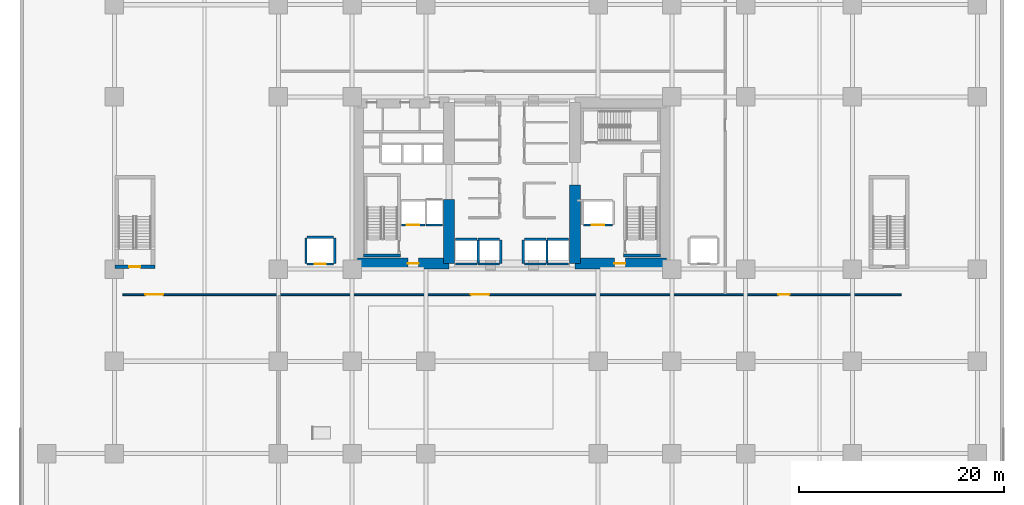
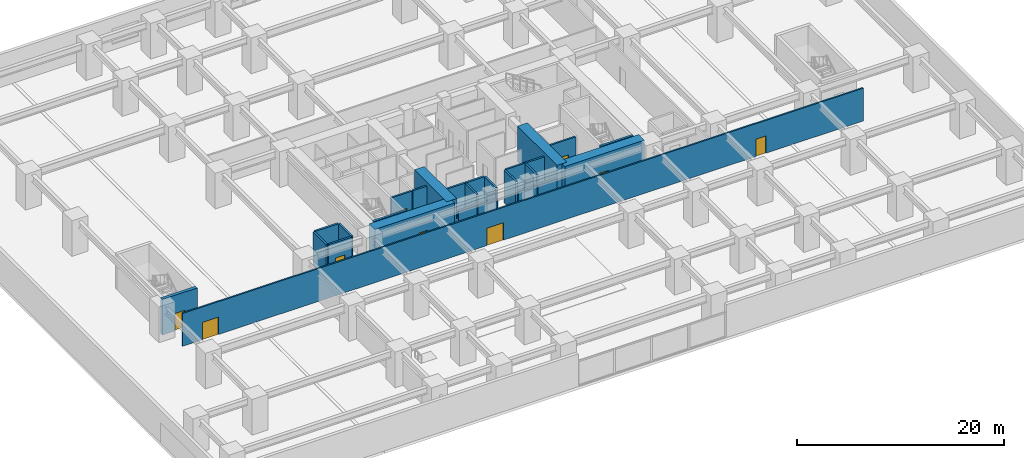
# One storey, part 10 of 22: 27 walls, 9 doors, 9 openings.
"""IFC4 building model written with IfcOpenShell, lengths in metres."""

from ifc_helpers import new_model, si_unit, direction, frame, frame_2d, origin, place, context, subcontext, project, spatial, rectangle, extrude, material, layer, layer_set, type_object, element, fill, save


model = new_model("IFC4")

# Units and contexts
model_context = context("Model", 3, precision=1e-05, world=origin(), true_north=direction((0.0, 1.0)))
body_context = subcontext(model_context, "Body", "Model", "MODEL_VIEW")
ifc_project = project(units=[si_unit("LENGTHUNIT", "METRE"), si_unit("AREAUNIT", "SQUARE_METRE"), si_unit("VOLUMEUNIT", "CUBIC_METRE"), si_unit("PLANEANGLEUNIT", "RADIAN"), si_unit("MASSUNIT", "GRAM", prefix="KILO")], contexts=[model_context])

# Site, building, storey
site_placement = place(None, origin())
site = spatial("IfcSite", under=ifc_project, at=site_placement, CompositionType="ELEMENT")
building_placement = place(site_placement, origin())
building = spatial("IfcBuilding", under=site, at=building_placement, Name="Kiyonajd Concourse Tower", CompositionType="ELEMENT")
storey_placement = place(building_placement, frame((0.0, 0.0, 4.5)))
storey = spatial("IfcBuildingStorey", under=building, at=storey_placement, Name="L02", CompositionType="ELEMENT", Elevation=4.5)

# Wall
ifc_material_1 = material(Name="Concrete C80/95", Category="concrete")
ifc_layer_1 = layer(ifc_material_1, 1.10009765625)
ifc_layer_set_1 = layer_set([ifc_layer_1], Name="Concrete C80/95")
wall_type_1 = type_object("IfcWallType", Name="WL-CORE-1100", PredefinedType="SHEAR", material=ifc_layer_set_1)
wall_1_placement = place(storey_placement, frame((41.85009765625, 28.14990234375, 0.0), z_axis=(0.0, 0.0, 1.0), x_axis=(0.0, 1.0, 0.0)))
element("IfcWall", 1, at=wall_1_placement, inside=storey, type_object=wall_type_1, Name="L02 West Core Inner South Shear Wall", PredefinedType="SHEAR", context=body_context, shape_type="SweptSolid", body=[
    extrude(rectangle(XDim=6.25, YDim=1.10009765625, at=frame_2d((3.125, 0.0))), origin(), (0.0, 0.0, 1.0), 4.199951171875),
])

# Wall, opening, door
wall_2_placement = place(storey_placement, frame((32.949951171875, 28.14990234375, 0.0), z_axis=(0.0, 0.0, 1.0), x_axis=(1.0, 0.0, 0.0)))
wall_2 = element("IfcWall", 2, at=wall_2_placement, inside=storey, type_object=wall_type_1, Name="L02 West Core South Shear Wall", PredefinedType="SHEAR", context=body_context, shape_type="SweptSolid", body=[
    extrude(rectangle(XDim=8.900146484375, YDim=1.10009765625, at=frame_2d((4.4501953125, 0.0))), origin(), (0.0, 0.0, 1.0), 4.199951171875),
])
opening_1_placement = place(wall_2_placement, frame((4.89990234375, 0.0, 0.0)))
opening_1 = element("IfcOpeningElement", 3, at=opening_1_placement, cuts=wall_2, Name="Opening DF5", PredefinedType="OPENING", context=body_context, shape_type="SweptSolid", body=[
    extrude(rectangle(XDim=1.050048828125, YDim=2.0400390625, at=frame_2d((0.52490234375, 1.02001953125))), frame((0.0, 0.56005859375, 0.0), z_axis=(0.0, -1.0, 0.0), x_axis=(1.0, 0.0, 0.0)), (0.0, 0.0, 1.0), 1.1201171875),
])
ifc_material_2 = material(Name="Brushed Stainless Steel Cab Assembly", Category="steel")
door_type_1 = type_object("IfcDoorType", Name="DR-FD45-1050", OperationType="NOTDEFINED", PredefinedType="DOOR", material=ifc_material_2)
door_1_placement = place(opening_1_placement, origin())
door_1 = element("IfcDoor", 4, at=door_1_placement, inside=storey, type_object=door_type_1, Name="L02 Firefighting Lift Lobby W Smoke Door", OperationType="SINGLE_SWING_LEFT", OverallHeight=2.0400390625, OverallWidth=1.050048828125, PredefinedType="DOOR", context=body_context, shape_type="SweptSolid", body=[
    extrude(rectangle(XDim=1.050048828125, YDim=2.0400390625, at=frame_2d((0.52490234375, 1.02001953125))), frame((0.0, 0.02490234375, 0.0), z_axis=(0.0, -1.0, 0.0), x_axis=(1.0, 0.0, 0.0)), (0.0, 0.0, 1.0), 0.050048828125),
])
fill(opening_1, door_1)

# Wall
wall_3_placement = place(storey_placement, frame((54.14990234375, 28.14990234375, 0.0), z_axis=(0.0, 0.0, 1.0), x_axis=(0.0, 1.0, 0.0)))
element("IfcWall", 5, at=wall_3_placement, inside=storey, type_object=wall_type_1, Name="L02 East Core Inner South Shear Wall", PredefinedType="SHEAR", context=body_context, shape_type="SweptSolid", body=[
    extrude(rectangle(XDim=7.650146484375, YDim=1.10009765625, at=frame_2d((3.8251953125, 0.0))), origin(), (0.0, 0.0, 1.0), 4.199951171875),
])

# Wall, opening, door
wall_4_placement = place(storey_placement, frame((54.14990234375, 28.14990234375, 0.0), z_axis=(0.0, 0.0, 1.0), x_axis=(1.0, 0.0, 0.0)))
wall_4 = element("IfcWall", 6, at=wall_4_placement, inside=storey, type_object=wall_type_1, Name="L02 East Core South Shear Wall", PredefinedType="SHEAR", context=body_context, shape_type="SweptSolid", body=[
    extrude(rectangle(XDim=8.900146484375, YDim=1.10009765625, at=frame_2d((4.4501953125, 0.0))), origin(), (0.0, 0.0, 1.0), 4.199951171875),
])
opening_2_placement = place(wall_4_placement, frame((3.85009765625, 0.0, 0.0)))
opening_2 = element("IfcOpeningElement", 7, at=opening_2_placement, cuts=wall_4, Name="Opening DF5", PredefinedType="OPENING", context=body_context, shape_type="SweptSolid", body=[
    extrude(rectangle(XDim=1.050048828125, YDim=2.0400390625, at=frame_2d((0.52490234375, 1.02001953125))), frame((0.0, 0.56005859375, 0.0), z_axis=(0.0, -1.0, 0.0), x_axis=(1.0, 0.0, 0.0)), (0.0, 0.0, 1.0), 1.1201171875),
])
door_2_placement = place(opening_2_placement, origin())
door_2 = element("IfcDoor", 8, at=door_2_placement, inside=storey, type_object=door_type_1, Name="L02 Firefighting Lift Lobby E Smoke Door", OperationType="SINGLE_SWING_RIGHT", OverallHeight=2.0400390625, OverallWidth=1.050048828125, PredefinedType="DOOR", context=body_context, shape_type="SweptSolid", body=[
    extrude(rectangle(XDim=1.050048828125, YDim=2.0400390625, at=frame_2d((0.52490234375, 1.02001953125))), frame((0.0, 0.02490234375, 0.0), z_axis=(0.0, -1.0, 0.0), x_axis=(1.0, 0.0, 0.0)), (0.0, 0.0, 1.0), 0.050048828125),
])
fill(opening_2, door_2)

ifc_material_3 = material(Name="Gypsum Board on Cold-Formed Steel Stud", Category="steel")
ifc_layer_2 = layer(ifc_material_3, 0.2099609375)
ifc_layer_set_2 = layer_set([ifc_layer_2], Name="Gypsum Board on Cold-Formed Steel Stud")
wall_type_2 = type_object("IfcWallType", Name="WL-SHAFT-210", PredefinedType="PARTITIONING", material=ifc_layer_set_2)
wall_5_placement = place(storey_placement, frame((37.199951171875, 31.89990234375, 0.0), z_axis=(0.0, 0.0, 1.0), x_axis=(1.0, 0.0, 0.0)))
wall_5 = element("IfcWall", 9, at=wall_5_placement, inside=storey, type_object=wall_type_2, Name="L02 Shaft Enclosure Wall", PredefinedType="PARTITIONING", context=body_context, shape_type="SweptSolid", body=[
    extrude(rectangle(XDim=2.300048828125, YDim=0.2099609375, at=frame_2d((1.14990234375, 0.0))), origin(), (0.0, 0.0, 1.0), 3.8798828125),
])
opening_3_placement = place(wall_5_placement, frame((0.550048828125, 0.0, 0.0)))
opening_3 = element("IfcOpeningElement", 10, at=opening_3_placement, cuts=wall_5, Name="Opening LD2", PredefinedType="OPENING", context=body_context, shape_type="SweptSolid", body=[
    extrude(rectangle(XDim=1.199951171875, YDim=2.0400390625, at=frame_2d((0.60009765625, 1.02001953125))), frame((0.0, 0.114990234375, 0.0), z_axis=(0.0, -1.0, 0.0), x_axis=(1.0, 0.0, 0.0)), (0.0, 0.0, 1.0), 0.22998046875),
])
door_type_2 = type_object("IfcDoorType", Name="DR-LD-1200", OperationType="DOUBLE_DOOR_SLIDING", PredefinedType="DOOR", material=ifc_material_2)
door_3_placement = place(opening_3_placement, origin())
door_3 = element("IfcDoor", 11, at=door_3_placement, inside=storey, type_object=door_type_2, Name="L02 Lift FFL1 Sliding Landing Door", OperationType="DOUBLE_DOOR_SLIDING", OverallHeight=2.0400390625, OverallWidth=1.199951171875, PredefinedType="DOOR", context=body_context, shape_type="SweptSolid", body=[
    extrude(rectangle(XDim=1.199951171875, YDim=2.0400390625, at=frame_2d((0.60009765625, 1.02001953125))), frame((0.0, 0.02490234375, 0.0), z_axis=(0.0, -1.0, 0.0), x_axis=(1.0, 0.0, 0.0)), (0.0, 0.0, 1.0), 0.050048828125),
])
fill(opening_3, door_3)

wall_6_placement = place(storey_placement, frame((55.0, 31.89990234375, 0.0), z_axis=(0.0, 0.0, 1.0), x_axis=(1.0, 0.0, 0.0)))
wall_6 = element("IfcWall", 12, at=wall_6_placement, inside=storey, type_object=wall_type_2, Name="L02 Shaft Enclosure Wall", PredefinedType="PARTITIONING", context=body_context, shape_type="SweptSolid", body=[
    extrude(rectangle(XDim=2.800048828125, YDim=0.2099609375, at=frame_2d((1.39990234375, 0.0))), origin(), (0.0, 0.0, 1.0), 3.8798828125),
])
opening_4_placement = place(wall_6_placement, frame((0.800048828125, 0.0, 0.0)))
opening_4 = element("IfcOpeningElement", 13, at=opening_4_placement, cuts=wall_6, Name="Opening LD2", PredefinedType="OPENING", context=body_context, shape_type="SweptSolid", body=[
    extrude(rectangle(XDim=1.199951171875, YDim=2.0400390625, at=frame_2d((0.60009765625, 1.02001953125))), frame((0.0, 0.114990234375, 0.0), z_axis=(0.0, -1.0, 0.0), x_axis=(1.0, 0.0, 0.0)), (0.0, 0.0, 1.0), 0.22998046875),
])
door_4_placement = place(opening_4_placement, origin())
door_4 = element("IfcDoor", 14, at=door_4_placement, inside=storey, type_object=door_type_2, Name="L02 Lift FFL2 Sliding Landing Door", OperationType="DOUBLE_DOOR_SLIDING", OverallHeight=2.0400390625, OverallWidth=1.199951171875, PredefinedType="DOOR", context=body_context, shape_type="SweptSolid", body=[
    extrude(rectangle(XDim=1.199951171875, YDim=2.0400390625, at=frame_2d((0.60009765625, 1.02001953125))), frame((0.0, 0.02490234375, 0.0), z_axis=(0.0, -1.0, 0.0), x_axis=(1.0, 0.0, 0.0)), (0.0, 0.0, 1.0), 0.050048828125),
])
fill(opening_4, door_4)

# Walls
wall_7_placement = place(storey_placement, frame((39.60009765625, 31.89990234375, 0.0), z_axis=(0.0, 0.0, 1.0), x_axis=(1.0, 0.0, 0.0)))
element("IfcWall", 15, at=wall_7_placement, inside=storey, type_object=wall_type_2, Name="L02 Shaft Enclosure Wall", PredefinedType="PARTITIONING", context=body_context, shape_type="SweptSolid", body=[
    extrude(rectangle(XDim=1.599853515625, YDim=0.2099609375, at=frame_2d((0.7998046875, 0.0))), origin(), (0.0, 0.0, 1.0), 3.8798828125),
])
wall_8_placement = place(storey_placement, frame((42.5, 30.5, 0.0), z_axis=(0.0, 0.0, 1.0), x_axis=(1.0, 0.0, 0.0)))
element("IfcWall", 16, at=wall_8_placement, inside=storey, type_object=wall_type_2, Name="L02 Shaft Enclosure Wall", PredefinedType="PARTITIONING", context=body_context, shape_type="SweptSolid", body=[
    extrude(rectangle(XDim=2.10009765625, YDim=0.2099609375, at=frame_2d((1.050048828125, 0.0))), origin(), (0.0, 0.0, 1.0), 3.8798828125),
])
wall_9_placement = place(storey_placement, frame((42.5, 28.10009765625, 0.0), z_axis=(0.0, 0.0, 1.0), x_axis=(1.0, 0.0, 0.0)))
element("IfcWall", 17, at=wall_9_placement, inside=storey, type_object=wall_type_2, Name="L02 Shaft Enclosure Wall", PredefinedType="PARTITIONING", context=body_context, shape_type="SweptSolid", body=[
    extrude(rectangle(XDim=2.10009765625, YDim=0.2099609375, at=frame_2d((1.050048828125, 0.0))), origin(), (0.0, 0.0, 1.0), 2.764892578125),
])
wall_10_placement = place(storey_placement, frame((44.699951171875, 28.159912109375, 0.0), z_axis=(0.0, 0.0, 1.0), x_axis=(0.0, 1.0, 0.0)))
element("IfcWall", 18, at=wall_10_placement, inside=storey, type_object=wall_type_2, Name="L02 Shaft Enclosure Wall", PredefinedType="PARTITIONING", context=body_context, shape_type="SweptSolid", body=[
    extrude(rectangle(XDim=2.280029296875, YDim=0.2099609375, at=frame_2d((1.14013671875, 0.0))), origin(), (0.0, 0.0, 1.0), 3.8798828125),
])
wall_11_placement = place(storey_placement, frame((44.699951171875, 30.5, 0.0), z_axis=(0.0, 0.0, 1.0), x_axis=(1.0, 0.0, 0.0)))
element("IfcWall", 19, at=wall_11_placement, inside=storey, type_object=wall_type_2, Name="L02 Shaft Enclosure Wall", PredefinedType="PARTITIONING", context=body_context, shape_type="SweptSolid", body=[
    extrude(rectangle(XDim=2.10009765625, YDim=0.2099609375, at=frame_2d((1.050048828125, 0.0))), origin(), (0.0, 0.0, 1.0), 3.8798828125),
])
wall_12_placement = place(storey_placement, frame((44.699951171875, 28.10009765625, 0.0), z_axis=(0.0, 0.0, 1.0), x_axis=(1.0, 0.0, 0.0)))
element("IfcWall", 20, at=wall_12_placement, inside=storey, type_object=wall_type_2, Name="L02 Shaft Enclosure Wall", PredefinedType="PARTITIONING", context=body_context, shape_type="SweptSolid", body=[
    extrude(rectangle(XDim=2.10009765625, YDim=0.2099609375, at=frame_2d((1.050048828125, 0.0))), origin(), (0.0, 0.0, 1.0), 2.764892578125),
])
wall_13_placement = place(storey_placement, frame((46.89990234375, 28.159912109375, 0.0), z_axis=(0.0, 0.0, 1.0), x_axis=(0.0, 1.0, 0.0)))
element("IfcWall", 21, at=wall_13_placement, inside=storey, type_object=wall_type_2, Name="L02 Shaft Enclosure Wall", PredefinedType="PARTITIONING", context=body_context, shape_type="SweptSolid", body=[
    extrude(rectangle(XDim=2.280029296875, YDim=0.2099609375, at=frame_2d((1.14013671875, 0.0))), origin(), (0.0, 0.0, 1.0), 3.8798828125),
])
wall_14_placement = place(storey_placement, frame((49.199951171875, 30.5, 0.0), z_axis=(0.0, 0.0, 1.0), x_axis=(1.0, 0.0, 0.0)))
element("IfcWall", 22, at=wall_14_placement, inside=storey, type_object=wall_type_2, Name="L02 Shaft Enclosure Wall", PredefinedType="PARTITIONING", context=body_context, shape_type="SweptSolid", body=[
    extrude(rectangle(XDim=2.10009765625, YDim=0.2099609375, at=frame_2d((1.050048828125, 0.0))), origin(), (0.0, 0.0, 1.0), 3.8798828125),
])
wall_15_placement = place(storey_placement, frame((49.199951171875, 28.10009765625, 0.0), z_axis=(0.0, 0.0, 1.0), x_axis=(1.0, 0.0, 0.0)))
element("IfcWall", 23, at=wall_15_placement, inside=storey, type_object=wall_type_2, Name="L02 Shaft Enclosure Wall", PredefinedType="PARTITIONING", context=body_context, shape_type="SweptSolid", body=[
    extrude(rectangle(XDim=2.10009765625, YDim=0.2099609375, at=frame_2d((1.050048828125, 0.0))), origin(), (0.0, 0.0, 1.0), 2.764892578125),
])
for number, where, z_axis, x_axis, name in (
    (24, (49.10009765625, 28.159912109375, 0.0), (0.0, 0.0, 1.0), (0.0, 1.0, 0.0), "L02 Shaft Enclosure Wall"),
    (25, (51.39990234375, 28.159912109375, 0.0), (0.0, 0.0, 1.0), (0.0, 1.0, 0.0), "L02 Shaft Enclosure Wall"),
):
    element("IfcWall", number, at=place(storey_placement, frame(where, z_axis=z_axis, x_axis=x_axis)), inside=storey, type_object=wall_type_2, Name=name, PredefinedType="PARTITIONING", context=body_context, shape_type="SweptSolid", body=[
        extrude(rectangle(XDim=2.280029296875, YDim=0.2099609375, at=frame_2d((1.14013671875, 0.0))), origin(), (0.0, 0.0, 1.0), 3.8798828125),
    ])
wall_16_placement = place(storey_placement, frame((51.39990234375, 30.5, 0.0), z_axis=(0.0, 0.0, 1.0), x_axis=(1.0, 0.0, 0.0)))
element("IfcWall", 26, at=wall_16_placement, inside=storey, type_object=wall_type_2, Name="L02 Shaft Enclosure Wall", PredefinedType="PARTITIONING", context=body_context, shape_type="SweptSolid", body=[
    extrude(rectangle(XDim=2.10009765625, YDim=0.2099609375, at=frame_2d((1.050048828125, 0.0))), origin(), (0.0, 0.0, 1.0), 3.8798828125),
])
wall_17_placement = place(storey_placement, frame((51.39990234375, 28.10009765625, 0.0), z_axis=(0.0, 0.0, 1.0), x_axis=(1.0, 0.0, 0.0)))
element("IfcWall", 27, at=wall_17_placement, inside=storey, type_object=wall_type_2, Name="L02 Shaft Enclosure Wall", PredefinedType="PARTITIONING", context=body_context, shape_type="SweptSolid", body=[
    extrude(rectangle(XDim=2.10009765625, YDim=0.2099609375, at=frame_2d((1.050048828125, 0.0))), origin(), (0.0, 0.0, 1.0), 2.764892578125),
])

# Wall, opening, door
wall_18_placement = place(storey_placement, frame((28.0, 28.10009765625, 0.0), z_axis=(0.0, 0.0, 1.0), x_axis=(1.0, 0.0, 0.0)))
wall_18 = element("IfcWall", 28, at=wall_18_placement, inside=storey, type_object=wall_type_2, Name="L02 Shaft Enclosure Wall", PredefinedType="PARTITIONING", context=body_context, shape_type="SweptSolid", body=[
    extrude(rectangle(XDim=2.60009765625, YDim=0.2099609375, at=frame_2d((1.300048828125, 0.0))), origin(), (0.0, 0.0, 1.0), 3.8798828125),
])
opening_5_placement = place(wall_18_placement, frame((0.75, 0.0, 0.0)))
opening_5 = element("IfcOpeningElement", 29, at=opening_5_placement, cuts=wall_18, Name="Opening LD1", PredefinedType="OPENING", context=body_context, shape_type="SweptSolid", body=[
    extrude(rectangle(XDim=1.10009765625, YDim=2.0400390625, at=frame_2d((0.550048828125, 1.02001953125))), frame((0.0, 0.114990234375, 0.0), z_axis=(0.0, -1.0, 0.0), x_axis=(1.0, 0.0, 0.0)), (0.0, 0.0, 1.0), 0.22998046875),
])
door_type_3 = type_object("IfcDoorType", Name="DR-LD-1100", OperationType="DOUBLE_DOOR_SLIDING", PredefinedType="DOOR", material=ifc_material_2)
door_5_placement = place(opening_5_placement, origin())
door_5 = element("IfcDoor", 30, at=door_5_placement, inside=storey, type_object=door_type_3, Name="L02 Lift PD1 Sliding Landing Door", OperationType="DOUBLE_DOOR_SLIDING", OverallHeight=2.0400390625, OverallWidth=1.10009765625, PredefinedType="DOOR", context=body_context, shape_type="SweptSolid", body=[
    extrude(rectangle(XDim=1.10009765625, YDim=2.0400390625, at=frame_2d((0.550048828125, 1.02001953125))), frame((0.0, 0.02490234375, 0.0), z_axis=(0.0, -1.0, 0.0), x_axis=(1.0, 0.0, 0.0)), (0.0, 0.0, 1.0), 0.050048828125),
])
fill(opening_5, door_5)

# Walls
wall_19_placement = place(storey_placement, frame((28.0, 30.699951171875, 0.0), z_axis=(0.0, 0.0, 1.0), x_axis=(1.0, 0.0, 0.0)))
element("IfcWall", 31, at=wall_19_placement, inside=storey, type_object=wall_type_2, Name="L02 Shaft Enclosure Wall", PredefinedType="PARTITIONING", context=body_context, shape_type="SweptSolid", body=[
    extrude(rectangle(XDim=2.60009765625, YDim=0.2099609375, at=frame_2d((1.300048828125, 0.0))), origin(), (0.0, 0.0, 1.0), 3.8798828125),
])
for number, where, z_axis, x_axis, name in (
    (32, (27.89990234375, 28.159912109375, 0.0), (0.0, 0.0, 1.0), (0.0, 1.0, 0.0), "L02 Shaft Enclosure Wall"),
    (33, (30.699951171875, 28.159912109375, 0.0), (0.0, 0.0, 1.0), (0.0, 1.0, 0.0), "L02 Shaft Enclosure Wall"),
):
    element("IfcWall", number, at=place(storey_placement, frame(where, z_axis=z_axis, x_axis=x_axis)), inside=storey, type_object=wall_type_2, Name=name, PredefinedType="PARTITIONING", context=body_context, shape_type="SweptSolid", body=[
        extrude(rectangle(XDim=2.47998046875, YDim=0.2099609375, at=frame_2d((1.239990234375, 0.0))), origin(), (0.0, 0.0, 1.0), 3.8798828125),
    ])

# Wall, openings, doors
ifc_layer_3 = layer(ifc_material_3, 0.169921875)
ifc_layer_set_3 = layer_set([ifc_layer_3], Name="Gypsum Board on Cold-Formed Steel Stud")
wall_type_3 = type_object("IfcWallType", Name="WL-SMK-170", PredefinedType="PARTITIONING", material=ifc_layer_set_3)
wall_20_placement = place(storey_placement, frame((10.0, 25.10009765625, 0.0), z_axis=(0.0, 0.0, 1.0), x_axis=(1.0, 0.0, 0.0)))
wall_20 = element("IfcWall", 34, at=wall_20_placement, inside=storey, type_object=wall_type_3, Name="L02 Interior Partition Wall", PredefinedType="PARTITIONING", context=body_context, shape_type="SweptSolid", body=[
    extrude(rectangle(XDim=76.0, YDim=0.169921875, at=frame_2d((38.0, 0.0))), origin(), (0.0, 0.0, 1.0), 3.8798828125),
])
opening_6_placement = place(wall_20_placement, frame((2.199951171875, 0.0, 0.0)))
opening_6 = element("IfcOpeningElement", 35, at=opening_6_placement, cuts=wall_20, Name="Opening DI3", PredefinedType="OPENING", context=body_context, shape_type="SweptSolid", body=[
    extrude(rectangle(XDim=1.800048828125, YDim=2.06005859375, at=frame_2d((0.89990234375, 1.030029296875))), frame((0.0, 0.094970703125, 0.0), z_axis=(0.0, -1.0, 0.0), x_axis=(1.0, 0.0, 0.0)), (0.0, 0.0, 1.0), 0.18994140625),
])
opening_7_placement = place(wall_20_placement, frame((34.0, 0.0, 0.0)))
opening_7 = element("IfcOpeningElement", 36, at=opening_7_placement, cuts=wall_20, Name="Opening DI3", PredefinedType="OPENING", context=body_context, shape_type="SweptSolid", body=[
    extrude(rectangle(XDim=1.800048828125, YDim=2.06005859375, at=frame_2d((0.89990234375, 1.030029296875))), frame((0.0, 0.094970703125, 0.0), z_axis=(0.0, -1.0, 0.0), x_axis=(1.0, 0.0, 0.0)), (0.0, 0.0, 1.0), 0.18994140625),
])
opening_8_placement = place(wall_20_placement, frame((64.0, 0.0, 0.0)))
opening_8 = element("IfcOpeningElement", 37, at=opening_8_placement, cuts=wall_20, Name="Opening DF2", PredefinedType="OPENING", context=body_context, shape_type="SweptSolid", body=[
    extrude(rectangle(XDim=1.10009765625, YDim=2.050048828125, at=frame_2d((0.550048828125, 1.02490234375))), frame((0.0, 0.094970703125, 0.0), z_axis=(0.0, -1.0, 0.0), x_axis=(1.0, 0.0, 0.0)), (0.0, 0.0, 1.0), 0.18994140625),
])
door_type_4 = type_object("IfcDoorType", Name="DR-FD90-1100", OperationType="NOTDEFINED", PredefinedType="DOOR", material=ifc_material_2)
door_6_placement = place(opening_8_placement, origin())
door_6 = element("IfcDoor", 38, at=door_6_placement, inside=storey, type_object=door_type_4, Name="L02 Interior Door", OperationType="SINGLE_SWING_LEFT", OverallHeight=2.050048828125, OverallWidth=1.10009765625, PredefinedType="DOOR", context=body_context, shape_type="SweptSolid", body=[
    extrude(rectangle(XDim=1.10009765625, YDim=2.050048828125, at=frame_2d((0.550048828125, 1.02490234375))), frame((0.0, 0.02490234375, 0.0), z_axis=(0.0, -1.0, 0.0), x_axis=(1.0, 0.0, 0.0)), (0.0, 0.0, 1.0), 0.050048828125),
])
fill(opening_8, door_6)
door_type_5 = type_object("IfcDoorType", Name="DR-PAIR-1800", OperationType="DOUBLE_DOOR_SINGLE_SWING", PredefinedType="DOOR", material=ifc_material_2)
door_7_placement = place(opening_6_placement, origin())
door_7 = element("IfcDoor", 39, at=door_7_placement, inside=storey, type_object=door_type_5, Name="L02 Interior Door", OperationType="DOUBLE_DOOR_SINGLE_SWING", OverallHeight=2.06005859375, OverallWidth=1.800048828125, PredefinedType="DOOR", context=body_context, shape_type="SweptSolid", body=[
    extrude(rectangle(XDim=1.800048828125, YDim=2.06005859375, at=frame_2d((0.89990234375, 1.030029296875))), frame((0.0, 0.02490234375, 0.0), z_axis=(0.0, -1.0, 0.0), x_axis=(1.0, 0.0, 0.0)), (0.0, 0.0, 1.0), 0.050048828125),
])
fill(opening_6, door_7)
door_8_placement = place(opening_7_placement, origin())
door_8 = element("IfcDoor", 40, at=door_8_placement, inside=storey, type_object=door_type_5, Name="L02 Interior Door", OperationType="DOUBLE_DOOR_SINGLE_SWING", OverallHeight=2.06005859375, OverallWidth=1.800048828125, PredefinedType="DOOR", context=body_context, shape_type="SweptSolid", body=[
    extrude(rectangle(XDim=1.800048828125, YDim=2.06005859375, at=frame_2d((0.89990234375, 1.030029296875))), frame((0.0, 0.02490234375, 0.0), z_axis=(0.0, -1.0, 0.0), x_axis=(1.0, 0.0, 0.0)), (0.0, 0.0, 1.0), 0.050048828125),
])
fill(opening_7, door_8)

# Walls
ifc_material_4 = material(Name="Concrete C50/60", Category="concrete")
ifc_layer_4 = layer(ifc_material_4, 0.260009765625)
ifc_layer_set_4 = layer_set([ifc_layer_4], Name="Concrete C50/60")
wall_type_4 = type_object("IfcWallType", Name="WL-STAIR-260", PredefinedType="SHEAR", material=ifc_layer_set_4)
for number, where, z_axis, x_axis, name in (
    (41, (33.5, 28.919921875, 0.0), (0.0, 0.0, 1.0), (1.0, 0.0, 0.0), "L02 Stair ST1 Structural South Wall"),
    (42, (58.889892578125, 28.919921875, 0.0), (0.0, 0.0, 1.0), (1.0, 0.0, 0.0), "L02 Stair ST2 Structural South Wall"),
):
    element("IfcWall", number, at=place(storey_placement, frame(where, z_axis=z_axis, x_axis=x_axis)), inside=storey, type_object=wall_type_4, Name=name, PredefinedType="SHEAR", context=body_context, shape_type="SweptSolid", body=[
        extrude(rectangle(XDim=3.610107421875, YDim=0.260009765625, at=frame_2d((1.80517578125, 0.0))), origin(), (0.0, 0.0, 1.0), 4.199951171875),
    ])

# Wall, opening, door
ifc_layer_5 = layer(ifc_material_4, 0.35009765625)
ifc_layer_set_5 = layer_set([ifc_layer_5], Name="Concrete C50/60")
wall_type_5 = type_object("IfcWallType", Name="WL-STAIR-350", PredefinedType="SHEAR", material=ifc_layer_set_5)
wall_21_placement = place(storey_placement, frame((9.25, 27.824951171875, 0.0), z_axis=(0.0, 0.0, 1.0), x_axis=(1.0, 0.0, 0.0)))
wall_21 = element("IfcWall", 43, at=wall_21_placement, inside=storey, type_object=wall_type_5, Name="L02 Stair ST4 Structural South Wall", PredefinedType="SHEAR", context=body_context, shape_type="SweptSolid", body=[
    extrude(rectangle(XDim=3.89990234375, YDim=0.35009765625, at=frame_2d((1.949951171875, 0.0))), origin(), (0.0, 0.0, 1.0), 4.199951171875),
])
opening_9_placement = place(wall_21_placement, frame((1.39990234375, 0.0, 0.0)))
opening_9 = element("IfcOpeningElement", 44, at=opening_9_placement, cuts=wall_21, Name="Opening DF2", PredefinedType="OPENING", context=body_context, shape_type="SweptSolid", body=[
    extrude(rectangle(XDim=1.10009765625, YDim=2.050048828125, at=frame_2d((0.550048828125, 1.02490234375))), frame((0.0, 0.18505859375, 0.0), z_axis=(0.0, -1.0, 0.0), x_axis=(1.0, 0.0, 0.0)), (0.0, 0.0, 1.0), 0.3701171875),
])
door_9_placement = place(opening_9_placement, origin())
door_9 = element("IfcDoor", 45, at=door_9_placement, inside=storey, type_object=door_type_4, Name="L02 Stair ST4 Fire Door", OperationType="SINGLE_SWING_LEFT", OverallHeight=2.050048828125, OverallWidth=1.10009765625, PredefinedType="DOOR", context=body_context, shape_type="SweptSolid", body=[
    extrude(rectangle(XDim=1.10009765625, YDim=2.050048828125, at=frame_2d((0.550048828125, 1.02490234375))), frame((0.0, 0.02490234375, 0.0), z_axis=(0.0, -1.0, 0.0), x_axis=(1.0, 0.0, 0.0)), (0.0, 0.0, 1.0), 0.050048828125),
])
fill(opening_9, door_9)

save(model, "model.ifc")
